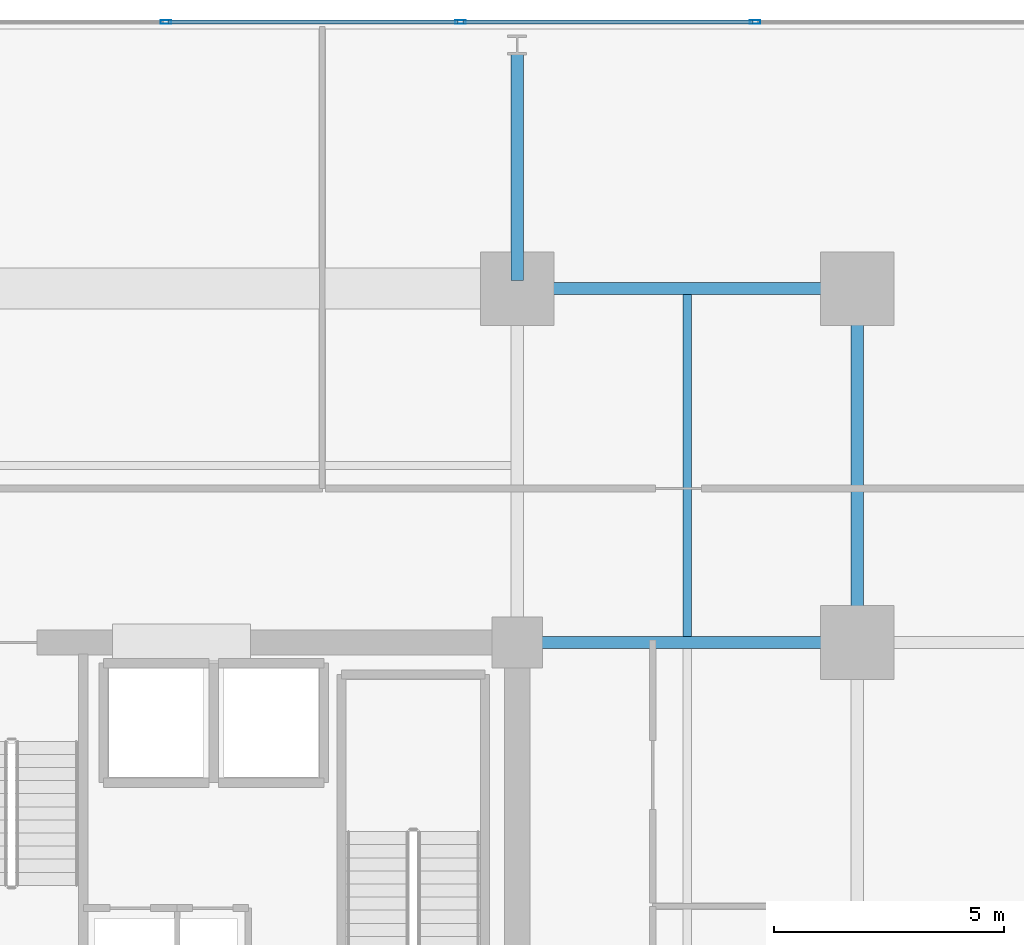
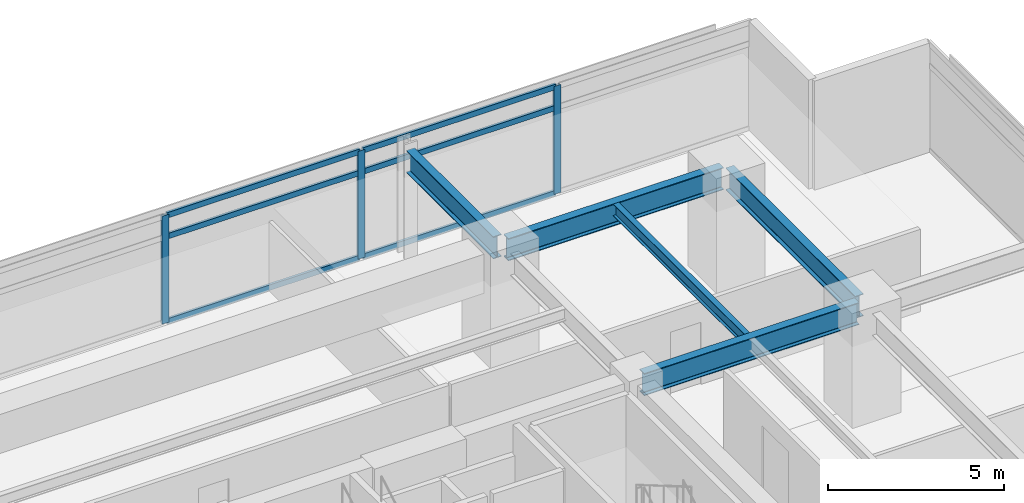
# One storey, part 11 of 23: 9 members, 5 beams, 1 element without a shape of its own.
"""IFC4 building model written with IfcOpenShell, lengths in metres."""

from ifc_helpers import new_model, si_unit, direction, frame, origin, origin_2d, place, context, subcontext, project, spatial, hollow_rectangle, i_section, extrude, material, material_profile, profile_set, type_object, element, aggregate, save


model = new_model("IFC4")

# Units and contexts
model_context = context("Model", 3, precision=1e-05, world=origin(), true_north=direction((0.0, 1.0)))
body_context = subcontext(model_context, "Body", "Model", "MODEL_VIEW")
ifc_project = project(units=[si_unit("LENGTHUNIT", "METRE"), si_unit("AREAUNIT", "SQUARE_METRE"), si_unit("VOLUMEUNIT", "CUBIC_METRE"), si_unit("PLANEANGLEUNIT", "RADIAN"), si_unit("MASSUNIT", "GRAM", prefix="KILO")], contexts=[model_context])

# Site, building, storey
site_placement = place(None, origin())
site = spatial("IfcSite", under=ifc_project, at=site_placement, CompositionType="ELEMENT")
building_placement = place(site_placement, origin())
building = spatial("IfcBuilding", under=site, at=building_placement, Name="Kovane Verandah Tower", CompositionType="ELEMENT")
storey_placement = place(building_placement, frame((0.0, 0.0, 136.39990234375)))
storey = spatial("IfcBuildingStorey", under=building, at=storey_placement, Name="L31", CompositionType="ELEMENT", Elevation=136.39990234375)

# Beams
ifc_material_1 = material(Name="Steel S355", Category="steel")
ifc_material_profile_1 = material_profile(ifc_material_1, i_section(OverallWidth=0.26806640625, OverallDepth=0.769775390625, WebThickness=0.015625, FlangeThickness=0.025390625, FilletRadius=0.0166015625, at=origin_2d()), Name="UB762x267x197")
ifc_profile_set_1 = profile_set([ifc_material_profile_1], Name="Steel S355")
beam_type_1 = type_object("IfcBeamType", Name="BM-UB762x197", PredefinedType="BEAM", material=ifc_profile_set_1)
beam_1_placement = place(storey_placement, frame((51.179931640625, 44.199951171875, 3.39013671875), z_axis=(1.0, 0.0, 0.0), x_axis=(0.0, 1.0, 0.0)))
element("IfcBeam", 1, at=beam_1_placement, inside=storey, type_object=beam_type_1, Name="L31 Primary Tower Girder G-RN3", PredefinedType="BEAM", context=body_context, shape_type="SweptSolid", body=[
    extrude(i_section(OverallWidth=0.26806640625, OverallDepth=0.769775390625, WebThickness=0.015625, FlangeThickness=0.025390625, FilletRadius=0.0166015625, at=origin_2d()), origin(), (0.0, 0.0, 1.0), 7.0400390625),
])
beam_2_placement = place(storey_placement, frame((58.39990234375, 36.679931640625, 3.39013671875), z_axis=(0.0, 1.0, 0.0), x_axis=(-1.0, 0.0, 0.0)))
element("IfcBeam", 2, at=beam_2_placement, inside=storey, type_object=beam_type_1, Name="L31 Primary Tower Girder G-RE3", PredefinedType="BEAM", context=body_context, shape_type="SweptSolid", body=[
    extrude(i_section(OverallWidth=0.26806640625, OverallDepth=0.769775390625, WebThickness=0.015625, FlangeThickness=0.025390625, FilletRadius=0.0166015625, at=origin_2d()), origin(), (0.0, 0.0, 1.0), 7.340087890625),
])
beam_3_placement = place(storey_placement, frame((51.179931640625, 36.5, 3.39013671875), z_axis=(1.0, 0.0, 0.0), x_axis=(0.0, 1.0, 0.0)))
element("IfcBeam", 3, at=beam_3_placement, inside=storey, type_object=beam_type_1, Name="L31 Primary Tower Girder G-E2", PredefinedType="BEAM", context=body_context, shape_type="SweptSolid", body=[
    extrude(i_section(OverallWidth=0.26806640625, OverallDepth=0.769775390625, WebThickness=0.015625, FlangeThickness=0.025390625, FilletRadius=0.0166015625, at=origin_2d()), origin(), (0.0, 0.0, 1.0), 7.0400390625),
])
beam_4_placement = place(storey_placement, frame((51.0, 44.3798828125, 3.375244140625), z_axis=(0.0, 1.0, 0.0), x_axis=(-1.0, 0.0, 0.0)))
element("IfcBeam", 4, at=beam_4_placement, inside=storey, type_object=beam_type_1, Name="L31 Primary Tower Girder G-VN2", PredefinedType="BEAM", context=body_context, shape_type="SweptSolid", body=[
    extrude(i_section(OverallWidth=0.26806640625, OverallDepth=0.769775390625, WebThickness=0.015625, FlangeThickness=0.025390625, FilletRadius=0.0166015625, at=origin_2d()), origin(), (0.0, 0.0, 1.0), 4.940185546875),
])

# Curtain wall, members
ifc_material_2 = material(Name="Champagne Anodised Aluminium Frame with Low-E Clear Laminated Glass", Category="aluminium")
curtain_wall_type = type_object("IfcCurtainWallType", Name="CW-SYS-03-MID", PredefinedType="NOTDEFINED", material=ifc_material_2)
curtain_wall_placement = place(storey_placement, origin())
curtain_wall = element("IfcCurtainWall", 5, at=curtain_wall_placement, inside=storey, type_object=curtain_wall_type, Name="L31 N Unitised Curtain Wall", PredefinedType="NOTDEFINED")
ifc_material_3 = material(Name="Champagne Anodised Aluminium 6063-T6", Category="aluminium")
ifc_material_profile_2 = material_profile(ifc_material_3, hollow_rectangle(XDim=0.0849609375, YDim=0.22998046875, WallThickness=0.00390625, at=origin_2d()), Name="AL85x230x4")
ifc_profile_set_2 = profile_set([ifc_material_profile_2], Name="Champagne Anodised Aluminium 6063-T6")
member_type_1 = type_object("IfcMemberType", Name="CW-MUL-85x230", PredefinedType="MULLION", material=ifc_profile_set_2)
member_1_placement = place(storey_placement, frame((56.1787109375, 50.00048828125, 0.02001953125), z_axis=(0.0, 0.0, 1.0), x_axis=(0.0, 1.0, 0.0)))
member_1 = element("IfcMember", 6, at=member_1_placement, type_object=member_type_1, Name="L31 N Unitised Curtain Wall Mullion 2", PredefinedType="MULLION", context=body_context, shape_type="SweptSolid", body=[
    extrude(hollow_rectangle(XDim=0.0849609375, YDim=0.22998046875, WallThickness=0.00390625, at=origin_2d()), origin(), (0.0, 0.0, 1.0), 3.735107421875),
])
member_2_placement = place(storey_placement, frame((49.76806640625, 50.00048828125, 0.02001953125), z_axis=(0.0, 0.0, 1.0), x_axis=(0.0, 1.0, 0.0)))
member_2 = element("IfcMember", 7, at=member_2_placement, type_object=member_type_1, Name="L31 N Unitised Curtain Wall Mullion 3", PredefinedType="MULLION", context=body_context, shape_type="SweptSolid", body=[
    extrude(hollow_rectangle(XDim=0.0849609375, YDim=0.22998046875, WallThickness=0.00390625, at=origin_2d()), origin(), (0.0, 0.0, 1.0), 3.735107421875),
])
member_3_placement = place(storey_placement, frame((43.357177734375, 50.00048828125, 0.02001953125), z_axis=(0.0, 0.0, 1.0), x_axis=(0.0, 1.0, 0.0)))
member_3 = element("IfcMember", 8, at=member_3_placement, type_object=member_type_1, Name="L31 N Unitised Curtain Wall Mullion 4", PredefinedType="MULLION", context=body_context, shape_type="SweptSolid", body=[
    extrude(hollow_rectangle(XDim=0.0849609375, YDim=0.22998046875, WallThickness=0.00390625, at=origin_2d()), origin(), (0.0, 0.0, 1.0), 3.735107421875),
])
ifc_material_profile_3 = material_profile(ifc_material_3, hollow_rectangle(XDim=0.0849609375, YDim=0.18994140625, WallThickness=0.00390625, at=origin_2d()), Name="AL85x190x4")
ifc_profile_set_3 = profile_set([ifc_material_profile_3], Name="Champagne Anodised Aluminium 6063-T6")
member_type_2 = type_object("IfcMemberType", Name="CW-TRN-85x190", PredefinedType="USERDEFINED", material=ifc_profile_set_3)
member_4_placement = place(storey_placement, frame((56.12890625, 50.00048828125, 0.050048828125), z_axis=(-1.0, 0.0, 0.0), x_axis=(0.0, -1.0, 0.0)))
member_4 = element("IfcMember", 9, at=member_4_placement, type_object=member_type_2, Name="L31 N Unitised Curtain Wall Transom TB Bay 2", ObjectType="TRANSOM", PredefinedType="USERDEFINED", context=body_context, shape_type="SweptSolid", body=[
    extrude(hollow_rectangle(XDim=0.0849609375, YDim=0.18994140625, WallThickness=0.00390625, at=origin_2d()), origin(), (0.0, 0.0, 1.0), 6.310791015625),
])
member_5_placement = place(storey_placement, frame((56.12890625, 50.00048828125, 2.9951171875), z_axis=(-1.0, 0.0, 0.0), x_axis=(0.0, -1.0, 0.0)))
member_5 = element("IfcMember", 10, at=member_5_placement, type_object=member_type_2, Name="L31 N Unitised Curtain Wall Transom TM Bay 2", ObjectType="TRANSOM", PredefinedType="USERDEFINED", context=body_context, shape_type="SweptSolid", body=[
    extrude(hollow_rectangle(XDim=0.0849609375, YDim=0.18994140625, WallThickness=0.00390625, at=origin_2d()), origin(), (0.0, 0.0, 1.0), 6.310791015625),
])
member_6_placement = place(storey_placement, frame((56.12890625, 50.00048828125, 3.72509765625), z_axis=(-1.0, 0.0, 0.0), x_axis=(0.0, -1.0, 0.0)))
member_6 = element("IfcMember", 11, at=member_6_placement, type_object=member_type_2, Name="L31 N Unitised Curtain Wall Transom TT Bay 2", ObjectType="TRANSOM", PredefinedType="USERDEFINED", context=body_context, shape_type="SweptSolid", body=[
    extrude(hollow_rectangle(XDim=0.0849609375, YDim=0.18994140625, WallThickness=0.00390625, at=origin_2d()), origin(), (0.0, 0.0, 1.0), 6.310791015625),
])
member_7_placement = place(storey_placement, frame((49.718017578125, 50.00048828125, 0.050048828125), z_axis=(-1.0, 0.0, 0.0), x_axis=(0.0, -1.0, 0.0)))
member_7 = element("IfcMember", 12, at=member_7_placement, type_object=member_type_2, Name="L31 N Unitised Curtain Wall Transom TB Bay 3", ObjectType="TRANSOM", PredefinedType="USERDEFINED", context=body_context, shape_type="SweptSolid", body=[
    extrude(hollow_rectangle(XDim=0.0849609375, YDim=0.18994140625, WallThickness=0.00390625, at=origin_2d()), origin(), (0.0, 0.0, 1.0), 6.31103515625),
])
member_8_placement = place(storey_placement, frame((49.718017578125, 50.00048828125, 2.9951171875), z_axis=(-1.0, 0.0, 0.0), x_axis=(0.0, -1.0, 0.0)))
member_8 = element("IfcMember", 13, at=member_8_placement, type_object=member_type_2, Name="L31 N Unitised Curtain Wall Transom TM Bay 3", ObjectType="TRANSOM", PredefinedType="USERDEFINED", context=body_context, shape_type="SweptSolid", body=[
    extrude(hollow_rectangle(XDim=0.0849609375, YDim=0.18994140625, WallThickness=0.00390625, at=origin_2d()), origin(), (0.0, 0.0, 1.0), 6.31103515625),
])
member_9_placement = place(storey_placement, frame((49.718017578125, 50.00048828125, 3.72509765625), z_axis=(-1.0, 0.0, 0.0), x_axis=(0.0, -1.0, 0.0)))
member_9 = element("IfcMember", 14, at=member_9_placement, type_object=member_type_2, Name="L31 N Unitised Curtain Wall Transom TT Bay 3", ObjectType="TRANSOM", PredefinedType="USERDEFINED", context=body_context, shape_type="SweptSolid", body=[
    extrude(hollow_rectangle(XDim=0.0849609375, YDim=0.18994140625, WallThickness=0.00390625, at=origin_2d()), origin(), (0.0, 0.0, 1.0), 6.31103515625),
])
aggregate(curtain_wall, [member_1, member_2, member_3, member_4, member_5, member_6, member_7, member_8, member_9])

# Beam
ifc_material_profile_4 = material_profile(ifc_material_1, i_section(OverallWidth=0.179443359375, OverallDepth=0.412841796875, WebThickness=0.009521484375, FlangeThickness=0.01611328125, FilletRadius=0.01025390625, at=origin_2d()), Name="UB406x178x74")
ifc_profile_set_4 = profile_set([ifc_material_profile_4], Name="Steel S355")
beam_type_2 = type_object("IfcBeamType", Name="JST-UB406x74", PredefinedType="JOIST", material=ifc_profile_set_4)
beam_5_placement = place(storey_placement, frame((54.699951171875, 36.632080078125, 3.568603515625), z_axis=(0.0, 1.0, 0.0), x_axis=(-1.0, 0.0, 0.0)))
element("IfcBeam", 15, at=beam_5_placement, inside=storey, type_object=beam_type_2, Name="L31 Secondary Composite Joist J-NE1", PredefinedType="JOIST", context=body_context, shape_type="SweptSolid", body=[
    extrude(i_section(OverallWidth=0.179443359375, OverallDepth=0.412841796875, WebThickness=0.009521484375, FlangeThickness=0.01611328125, FilletRadius=0.01025390625, at=origin_2d()), origin(), (0.0, 0.0, 1.0), 7.43603515625),
])

save(model, "model.ifc")
